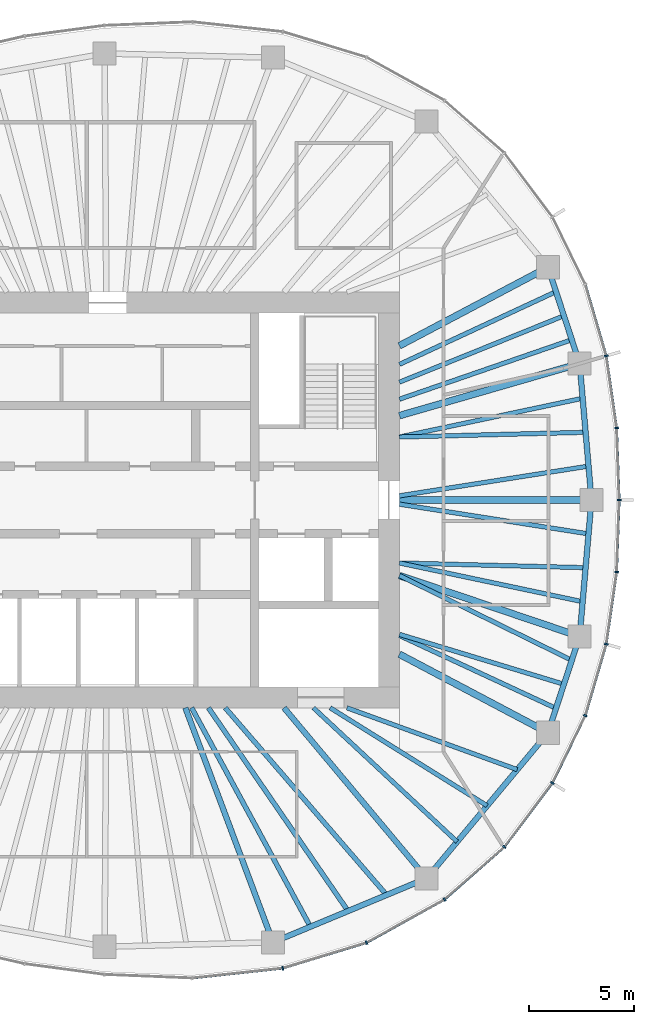
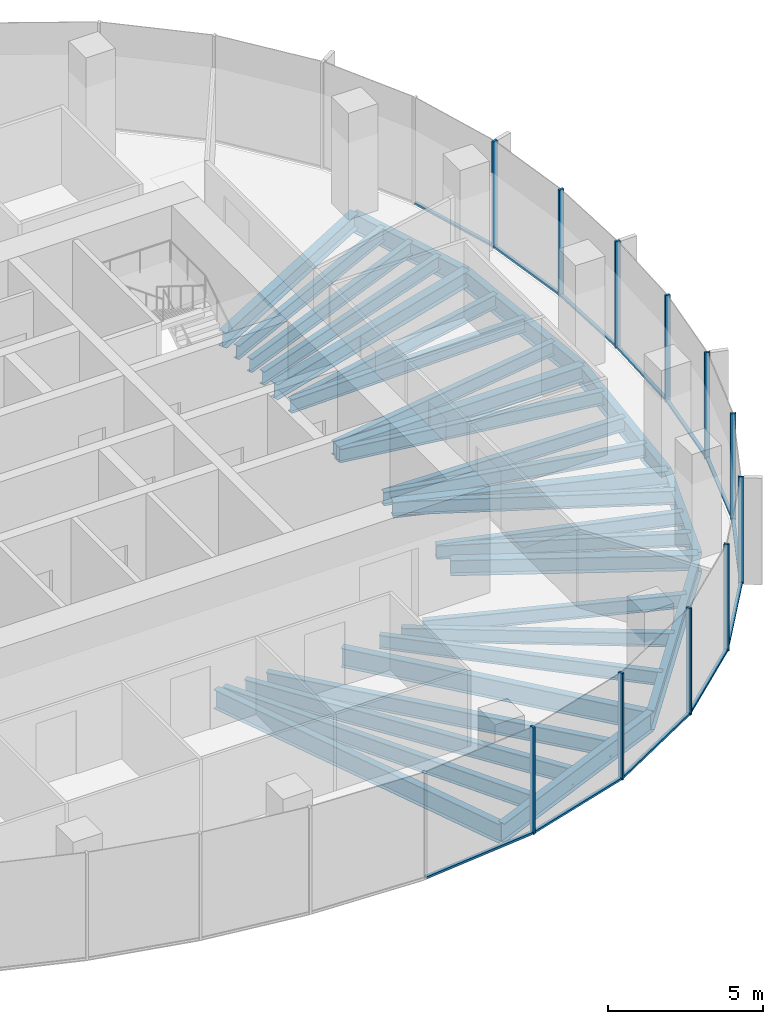
# One storey, part 4 of 11: 31 beams, 23 members, 7 elements without a shape of their own.
"""IFC4 building model written with IfcOpenShell, lengths in metres."""

from ifc_helpers import new_model, si_unit, direction, frame, origin, origin_2d, place, context, subcontext, project, spatial, rectangle, i_section, extrude, material, material_profile, profile_set, type_object, element, aggregate, save


model = new_model("IFC4")

# Units and contexts
model_context = context("Model", 3, precision=1e-05, world=origin(), true_north=direction((0.0, 1.0)))
body_context = subcontext(model_context, "Body", "Model", "MODEL_VIEW")
ifc_project = project(units=[si_unit("LENGTHUNIT", "METRE"), si_unit("AREAUNIT", "SQUARE_METRE"), si_unit("VOLUMEUNIT", "CUBIC_METRE"), si_unit("PLANEANGLEUNIT", "RADIAN"), si_unit("MASSUNIT", "GRAM", prefix="KILO")], contexts=[model_context])

# Site, building, storey
site_placement = place(None, origin())
site = spatial("IfcSite", under=ifc_project, at=site_placement, CompositionType="ELEMENT")
building_placement = place(site_placement, origin())
building = spatial("IfcBuilding", under=site, at=building_placement, Name="Ghaith Harvest Tower", CompositionType="ELEMENT")
storey_placement = place(building_placement, frame((0.0, 0.0, 292.199951171875)))
storey = spatial("IfcBuildingStorey", under=building, at=storey_placement, Name="L65", CompositionType="ELEMENT", Elevation=292.199951171875)

# Curtain wall, members
ifc_material_1 = material(Name="Black anodised aluminium and fritted glass", Category="aluminium")
curtain_wall_type = type_object("IfcCurtainWallType", Name="CW-T CURTAIN WALL", PredefinedType="NOTDEFINED", material=ifc_material_1)
curtain_wall_1_placement = place(storey_placement, origin())
curtain_wall_1 = element("IfcCurtainWall", 1, at=curtain_wall_1_placement, inside=storey, type_object=curtain_wall_type, Name="Curtain wall CW-T bay 01 L65", PredefinedType="NOTDEFINED")
ifc_material_2 = material(Name="Aluminium, black anodised", Category="aluminium")
ifc_material_profile_1 = material_profile(ifc_material_2, rectangle(XDim=0.080078125, YDim=0.179931640625, at=origin_2d()), Name="CW-T MULLION 80x180")
ifc_profile_set_1 = profile_set([ifc_material_profile_1], Name="Aluminium, black anodised")
member_type_1 = type_object("IfcMemberType", Name="CW-T MULLION 80x180", PredefinedType="MULLION", material=ifc_profile_set_1)
member_1_placement = place(storey_placement, frame((24.3701171875, 0.0, 0.0), z_axis=(0.0, 0.0, 1.0), x_axis=(5.2e-11, 1.0, 0.0)))
member_1 = element("IfcMember", 2, at=member_1_placement, type_object=member_type_1, Name="CW-T mullion 1 bay 01 L65", PredefinedType="MULLION", context=body_context, shape_type="SweptSolid", body=[
    extrude(rectangle(XDim=0.080078125, YDim=0.179931640625, at=origin_2d()), origin(), (0.0, 0.0, 1.0), 4.199951171875),
])
member_2_placement = place(storey_placement, frame((24.247802734375, 3.433837890625, 0.0), z_axis=(0.0, 0.0, 1.0), x_axis=(-0.089502202236, 0.995986624305, 0.0)))
member_2 = element("IfcMember", 3, at=member_2_placement, type_object=member_type_1, Name="CW-T mullion 2 bay 01 L65", PredefinedType="MULLION", context=body_context, shape_type="SweptSolid", body=[
    extrude(rectangle(XDim=0.080078125, YDim=0.179931640625, at=origin_2d()), origin(), (0.0, 0.0, 1.0), 4.199951171875),
])

# Curtain wall, member
curtain_wall_2_placement = place(storey_placement, origin())
curtain_wall_2 = element("IfcCurtainWall", 4, at=curtain_wall_2_placement, inside=storey, type_object=curtain_wall_type, Name="Curtain wall CW-T bay 02 L65", PredefinedType="NOTDEFINED")
member_3_placement = place(storey_placement, frame((23.753173828125, 6.865234375, 0.0), z_axis=(0.0, 0.0, 1.0), x_axis=(-0.21340203233, 0.976964468442, 0.0)))
member_3 = element("IfcMember", 5, at=member_3_placement, type_object=member_type_1, Name="CW-T mullion 1 bay 02 L65", PredefinedType="MULLION", context=body_context, shape_type="SweptSolid", body=[
    extrude(rectangle(XDim=0.080078125, YDim=0.179931640625, at=origin_2d()), origin(), (0.0, 0.0, 1.0), 4.199951171875),
])

# Curtain wall, members
curtain_wall_3_placement = place(storey_placement, origin())
curtain_wall_3 = element("IfcCurtainWall", 6, at=curtain_wall_3_placement, inside=storey, type_object=curtain_wall_type, Name="Curtain wall CW-T bay 17 L65", PredefinedType="NOTDEFINED")
member_4_placement = place(storey_placement, frame((8.33984375, -22.308837890625, 0.0), z_axis=(0.0, 0.0, 1.0), x_axis=(0.980000193265, 0.198996535647, 0.0)))
member_4 = element("IfcMember", 7, at=member_4_placement, type_object=member_type_1, Name="CW-T mullion 1 bay 17 L65", PredefinedType="MULLION", context=body_context, shape_type="SweptSolid", body=[
    extrude(rectangle(XDim=0.080078125, YDim=0.179931640625, at=origin_2d()), origin(), (0.0, 0.0, 1.0), 4.199951171875),
])
member_5_placement = place(storey_placement, frame((12.334228515625, -21.091796875, 0.0), z_axis=(0.0, 0.0, 1.0), x_axis=(0.920319269335, 0.391168048914, 0.0)))
member_5 = element("IfcMember", 8, at=member_5_placement, type_object=member_type_1, Name="CW-T mullion 2 bay 17 L65", PredefinedType="MULLION", context=body_context, shape_type="SweptSolid", body=[
    extrude(rectangle(XDim=0.080078125, YDim=0.179931640625, at=origin_2d()), origin(), (0.0, 0.0, 1.0), 4.199951171875),
])

curtain_wall_4_placement = place(storey_placement, origin())
curtain_wall_4 = element("IfcCurtainWall", 9, at=curtain_wall_4_placement, inside=storey, type_object=curtain_wall_type, Name="Curtain wall CW-T bay 18 L65", PredefinedType="NOTDEFINED")
member_6_placement = place(storey_placement, frame((16.04931640625, -19.031982421875, 0.0), z_axis=(0.0, 0.0, 1.0), x_axis=(0.821112053644, 0.570767023715, 0.0)))
member_6 = element("IfcMember", 10, at=member_6_placement, type_object=member_type_1, Name="CW-T mullion 1 bay 18 L65", PredefinedType="MULLION", context=body_context, shape_type="SweptSolid", body=[
    extrude(rectangle(XDim=0.080078125, YDim=0.179931640625, at=origin_2d()), origin(), (0.0, 0.0, 1.0), 4.199951171875),
])
member_7_placement = place(storey_placement, frame((18.901123046875, -16.527099609375, 0.0), z_axis=(0.0, 0.0, 1.0), x_axis=(0.679660897254, 0.733526458108, 0.0)))
member_7 = element("IfcMember", 11, at=member_7_placement, type_object=member_type_1, Name="CW-T mullion 2 bay 18 L65", PredefinedType="MULLION", context=body_context, shape_type="SweptSolid", body=[
    extrude(rectangle(XDim=0.080078125, YDim=0.179931640625, at=origin_2d()), origin(), (0.0, 0.0, 1.0), 4.199951171875),
])

curtain_wall_5_placement = place(storey_placement, origin())
curtain_wall_5 = element("IfcCurtainWall", 12, at=curtain_wall_5_placement, inside=storey, type_object=curtain_wall_type, Name="Curtain wall CW-T bay 19 L65", PredefinedType="NOTDEFINED")
member_8_placement = place(storey_placement, frame((21.18896484375, -13.48486328125, 0.0), z_axis=(0.0, 0.0, 1.0), x_axis=(0.524482238715, 0.85142138878, 0.0)))
member_8 = element("IfcMember", 13, at=member_8_placement, type_object=member_type_1, Name="CW-T mullion 1 bay 19 L65", PredefinedType="MULLION", context=body_context, shape_type="SweptSolid", body=[
    extrude(rectangle(XDim=0.080078125, YDim=0.179931640625, at=origin_2d()), origin(), (0.0, 0.0, 1.0), 4.199951171875),
])
member_9_placement = place(storey_placement, frame((22.754150390625, -10.272216796875, 0.0), z_axis=(0.0, 0.0, 1.0), x_axis=(0.361184273904, 0.932494461262, 0.0)))
member_9 = element("IfcMember", 14, at=member_9_placement, type_object=member_type_1, Name="CW-T mullion 2 bay 19 L65", PredefinedType="MULLION", context=body_context, shape_type="SweptSolid", body=[
    extrude(rectangle(XDim=0.080078125, YDim=0.179931640625, at=origin_2d()), origin(), (0.0, 0.0, 1.0), 4.199951171875),
])

curtain_wall_6_placement = place(storey_placement, origin())
curtain_wall_6 = element("IfcCurtainWall", 15, at=curtain_wall_6_placement, inside=storey, type_object=curtain_wall_type, Name="Curtain wall CW-T bay 20 L65", PredefinedType="NOTDEFINED")
member_10_placement = place(storey_placement, frame((23.753173828125, -6.865234375, 0.0), z_axis=(0.0, 0.0, 1.0), x_axis=(0.213402032501, 0.976964468404, 0.0)))
member_10 = element("IfcMember", 16, at=member_10_placement, type_object=member_type_1, Name="CW-T mullion 1 bay 20 L65", PredefinedType="MULLION", context=body_context, shape_type="SweptSolid", body=[
    extrude(rectangle(XDim=0.080078125, YDim=0.179931640625, at=origin_2d()), origin(), (0.0, 0.0, 1.0), 4.199951171875),
])
member_11_placement = place(storey_placement, frame((24.247802734375, -3.433837890625, 0.0), z_axis=(0.0, 0.0, 1.0), x_axis=(0.089502202305, 0.995986624299, 0.0)))
member_11 = element("IfcMember", 17, at=member_11_placement, type_object=member_type_1, Name="CW-T mullion 2 bay 20 L65", PredefinedType="MULLION", context=body_context, shape_type="SweptSolid", body=[
    extrude(rectangle(XDim=0.080078125, YDim=0.179931640625, at=origin_2d()), origin(), (0.0, 0.0, 1.0), 4.199951171875),
])

# Member
ifc_material_3 = material(Name="Aluminium, black anodised", Category="aluminium")
ifc_material_profile_2 = material_profile(ifc_material_3, rectangle(XDim=0.1201171875, YDim=0.080078125, at=origin_2d()), Name="CW-T TRANSOM 120x80")
ifc_profile_set_2 = profile_set([ifc_material_profile_2], Name="Aluminium, black anodised")
member_type_2 = type_object("IfcMemberType", Name="CW-T TRANSOM 120x80", PredefinedType="USERDEFINED", material=ifc_profile_set_2)
member_12_placement = place(storey_placement, frame((24.36865234375, 0.0400390625, 0.0400390625), z_axis=(-0.035574759537, 0.999367017909, 0.0), x_axis=(-0.999367017909, -0.035574759537, 0.0)))
member_12 = element("IfcMember", 18, at=member_12_placement, type_object=member_type_2, Name="CW-T transom 1 bay 01 L65", ObjectType="TRANSOM", PredefinedType="USERDEFINED", context=body_context, shape_type="SweptSolid", body=[
    extrude(rectangle(XDim=0.1201171875, YDim=0.080078125, at=origin_2d()), origin(), (0.0, 0.0, 1.0), 3.35595703125),
])

member_13_placement = place(storey_placement, frame((24.2421875, 3.473388671875, 0.0400390625), z_axis=(-0.142733224301, 0.989761196795, 0.0), x_axis=(-0.989761196795, -0.142733224301, 0.0)))
member_13 = element("IfcMember", 19, at=member_13_placement, type_object=member_type_2, Name="CW-T transom 2 bay 01 L65", ObjectType="TRANSOM", PredefinedType="USERDEFINED", context=body_context, shape_type="SweptSolid", body=[
    extrude(rectangle(XDim=0.1201171875, YDim=0.080078125, at=origin_2d()), origin(), (0.0, 0.0, 1.0), 3.38671875),
])

aggregate(curtain_wall_1, [member_1, member_12, member_2, member_13])

member_14_placement = place(storey_placement, frame((23.741943359375, 6.903564453125, 0.0400390625), z_axis=(-0.281385475469, 0.95959481772, 0.0), x_axis=(-0.95959481772, -0.281385475469, 0.0)))
member_14 = element("IfcMember", 20, at=member_14_placement, type_object=member_type_2, Name="CW-T transom 1 bay 02 L65", ObjectType="TRANSOM", PredefinedType="USERDEFINED", context=body_context, shape_type="SweptSolid", body=[
    extrude(rectangle(XDim=0.1201171875, YDim=0.080078125, at=origin_2d()), origin(), (0.0, 0.0, 1.0), 3.470458984375),
])

aggregate(curtain_wall_2, [member_3, member_14])

# Curtain wall, member
curtain_wall_7_placement = place(storey_placement, origin())
curtain_wall_7 = element("IfcCurtainWall", 21, at=curtain_wall_7_placement, inside=storey, type_object=curtain_wall_type, Name="Curtain wall CW-T bay 16 L65", PredefinedType="NOTDEFINED")
member_15_placement = place(storey_placement, frame((4.077392578125, -22.772216796875, 0.0400390625), z_axis=(0.994144463069, 0.108059180768, 0.0), x_axis=(-0.108059180768, 0.994144463069, 0.0)))
member_15 = element("IfcMember", 22, at=member_15_placement, type_object=member_type_2, Name="CW-T transom 2 bay 16 L65", ObjectType="TRANSOM", PredefinedType="USERDEFINED", context=body_context, shape_type="SweptSolid", body=[
    extrude(rectangle(XDim=0.1201171875, YDim=0.080078125, at=origin_2d()), origin(), (0.0, 0.0, 1.0), 4.24755859375),
])
aggregate(curtain_wall_7, [member_15])

# Member
member_16_placement = place(storey_placement, frame((8.378173828125, -22.297119140625, 0.0400390625), z_axis=(0.956593713342, 0.291424891858, 0.0), x_axis=(-0.291424891858, 0.956593713342, 0.0)))
member_16 = element("IfcMember", 23, at=member_16_placement, type_object=member_type_2, Name="CW-T transom 1 bay 17 L65", ObjectType="TRANSOM", PredefinedType="USERDEFINED", context=body_context, shape_type="SweptSolid", body=[
    extrude(rectangle(XDim=0.1201171875, YDim=0.080078125, at=origin_2d()), origin(), (0.0, 0.0, 1.0), 4.095703125),
])

member_17_placement = place(storey_placement, frame((12.369384765625, -21.072509765625, 0.0400390625), z_axis=(0.874552130553, 0.484931511603, 0.0), x_axis=(-0.484931511603, 0.874552130553, 0.0)))
member_17 = element("IfcMember", 24, at=member_17_placement, type_object=member_type_2, Name="CW-T transom 2 bay 17 L65", ObjectType="TRANSOM", PredefinedType="USERDEFINED", context=body_context, shape_type="SweptSolid", body=[
    extrude(rectangle(XDim=0.1201171875, YDim=0.080078125, at=origin_2d()), origin(), (0.0, 0.0, 1.0), 4.16748046875),
])

aggregate(curtain_wall_3, [member_4, member_16, member_5, member_17])

member_18_placement = place(storey_placement, frame((16.079345703125, -19.005615234375, 0.0400390625), z_axis=(0.751325799984, 0.659931467865, 0.0), x_axis=(-0.659931467865, 0.751325799984, 0.0)))
member_18 = element("IfcMember", 25, at=member_18_placement, type_object=member_type_2, Name="CW-T transom 1 bay 18 L65", ObjectType="TRANSOM", PredefinedType="USERDEFINED", context=body_context, shape_type="SweptSolid", body=[
    extrude(rectangle(XDim=0.1201171875, YDim=0.080078125, at=origin_2d()), origin(), (0.0, 0.0, 1.0), 3.7158203125),
])

member_19_placement = place(storey_placement, frame((18.925048828125, -16.4951171875, 0.0400390625), z_axis=(0.601079103045, 0.799189534392, 0.0), x_axis=(-0.799189534392, 0.601079103045, 0.0)))
member_19 = element("IfcMember", 26, at=member_19_placement, type_object=member_type_2, Name="CW-T transom 2 bay 18 L65", ObjectType="TRANSOM", PredefinedType="USERDEFINED", context=body_context, shape_type="SweptSolid", body=[
    extrude(rectangle(XDim=0.1201171875, YDim=0.080078125, at=origin_2d()), origin(), (0.0, 0.0, 1.0), 3.7265625),
])

aggregate(curtain_wall_4, [member_6, member_18, member_7, member_19])

member_20_placement = place(storey_placement, frame((21.20654296875, -13.448974609375, 0.0400390625), z_axis=(0.437965078712, 0.898991985408, 0.0), x_axis=(-0.898991985408, 0.437965078712, 0.0)))
member_20 = element("IfcMember", 27, at=member_20_placement, type_object=member_type_2, Name="CW-T transom 1 bay 19 L65", ObjectType="TRANSOM", PredefinedType="USERDEFINED", context=body_context, shape_type="SweptSolid", body=[
    extrude(rectangle(XDim=0.1201171875, YDim=0.080078125, at=origin_2d()), origin(), (0.0, 0.0, 1.0), 3.493408203125),
])

member_21_placement = place(storey_placement, frame((22.765380859375, -10.23388671875, 0.0400390625), z_axis=(0.281385475469, 0.95959481772, 0.0), x_axis=(-0.95959481772, 0.281385475469, 0.0)))
member_21 = element("IfcMember", 28, at=member_21_placement, type_object=member_type_2, Name="CW-T transom 2 bay 19 L65", ObjectType="TRANSOM", PredefinedType="USERDEFINED", context=body_context, shape_type="SweptSolid", body=[
    extrude(rectangle(XDim=0.1201171875, YDim=0.080078125, at=origin_2d()), origin(), (0.0, 0.0, 1.0), 3.470458984375),
])

aggregate(curtain_wall_5, [member_8, member_20, member_9, member_21])

member_22_placement = place(storey_placement, frame((23.7587890625, -6.825439453125, 0.0400390625), z_axis=(0.142733224301, 0.989761196795, 0.0), x_axis=(-0.989761196795, 0.142733224301, 0.0)))
member_22 = element("IfcMember", 29, at=member_22_placement, type_object=member_type_2, Name="CW-T transom 1 bay 20 L65", ObjectType="TRANSOM", PredefinedType="USERDEFINED", context=body_context, shape_type="SweptSolid", body=[
    extrude(rectangle(XDim=0.1201171875, YDim=0.080078125, at=origin_2d()), origin(), (0.0, 0.0, 1.0), 3.38671875),
])

member_23_placement = place(storey_placement, frame((24.249267578125, -3.393798828125, 0.0400390625), z_axis=(0.035574759537, 0.999367017909, 0.0), x_axis=(-0.999367017909, 0.035574759537, 0.0)))
member_23 = element("IfcMember", 30, at=member_23_placement, type_object=member_type_2, Name="CW-T transom 2 bay 20 L65", ObjectType="TRANSOM", PredefinedType="USERDEFINED", context=body_context, shape_type="SweptSolid", body=[
    extrude(rectangle(XDim=0.1201171875, YDim=0.080078125, at=origin_2d()), origin(), (0.0, 0.0, 1.0), 3.35595703125),
])

aggregate(curtain_wall_6, [member_10, member_22, member_11, member_23])

# Beams
ifc_material_4 = material(Name="Steel ASTM A992 Grade 50", Category="steel")
ifc_material_profile_3 = material_profile(ifc_material_4, i_section(OverallWidth=0.26611328125, OverallDepth=0.758056640625, WebThickness=0.013916015625, FlangeThickness=0.019287109375, at=origin_2d()), Name="W760X161")
ifc_profile_set_3 = profile_set([ifc_material_profile_3], Name="Steel ASTM A992 Grade 50")
beam_type_1 = type_object("IfcBeamType", Name="E760-161 W760X161", PredefinedType="SPANDREL", material=ifc_profile_set_3)
beam_1_placement = place(storey_placement, frame((23.050048828125, 0.0, -0.549072265625), z_axis=(-0.086600547306, 0.996243115513, 0.0), x_axis=(-0.996243115513, -0.086600547306, 0.0)))
element("IfcBeam", 31, at=beam_1_placement, inside=storey, type_object=beam_type_1, Name="Edge beam E01 L65", PredefinedType="SPANDREL", context=body_context, shape_type="SweptSolid", body=[
    extrude(i_section(OverallWidth=0.26611328125, OverallDepth=0.758056640625, WebThickness=0.013916015625, FlangeThickness=0.019287109375, at=origin_2d()), origin(), (0.0, 0.0, 1.0), 6.5234375),
])
beam_2_placement = place(storey_placement, frame((22.485107421875, 6.4990234375, -0.549072265625), z_axis=(-0.312206727278, 0.950014189074, 0.0), x_axis=(-0.950014189074, -0.312206727278, 0.0)))
element("IfcBeam", 32, at=beam_2_placement, inside=storey, type_object=beam_type_1, Name="Edge beam E02 L65", PredefinedType="SPANDREL", context=body_context, shape_type="SweptSolid", body=[
    extrude(i_section(OverallWidth=0.26611328125, OverallDepth=0.758056640625, WebThickness=0.013916015625, FlangeThickness=0.019287109375, at=origin_2d()), origin(), (0.0, 0.0, 1.0), 4.830322265625),
])
beam_3_placement = place(storey_placement, frame((7.8779296875, -21.072021484375, -0.549072265625), z_axis=(0.923119729219, 0.384512633766, 0.0), x_axis=(-0.384512633766, 0.923119729219, 0.0)))
element("IfcBeam", 33, at=beam_3_placement, inside=storey, type_object=beam_type_1, Name="Edge beam E17 L65", PredefinedType="SPANDREL", context=body_context, shape_type="SweptSolid", body=[
    extrude(i_section(OverallWidth=0.26611328125, OverallDepth=0.758056640625, WebThickness=0.013916015625, FlangeThickness=0.019287109375, at=origin_2d()), origin(), (0.0, 0.0, 1.0), 7.9296875),
])
beam_4_placement = place(storey_placement, frame((15.197998046875, -18.02294921875, -0.549072265625), z_axis=(0.640173759088, 0.76823014662, 0.0), x_axis=(-0.76823014662, 0.640173759088, 0.0)))
element("IfcBeam", 34, at=beam_4_placement, inside=storey, type_object=beam_type_1, Name="Edge beam E18 L65", PredefinedType="SPANDREL", context=body_context, shape_type="SweptSolid", body=[
    extrude(i_section(OverallWidth=0.26611328125, OverallDepth=0.758056640625, WebThickness=0.013916015625, FlangeThickness=0.019287109375, at=origin_2d()), origin(), (0.0, 0.0, 1.0), 9.02734375),
])
beam_5_placement = place(storey_placement, frame((20.97705078125, -11.087890625, -0.549072265625), z_axis=(0.312206727278, 0.950014189074, 0.0), x_axis=(-0.950014189074, 0.312206727278, 0.0)))
element("IfcBeam", 35, at=beam_5_placement, inside=storey, type_object=beam_type_1, Name="Edge beam E19 L65", PredefinedType="SPANDREL", context=body_context, shape_type="SweptSolid", body=[
    extrude(i_section(OverallWidth=0.26611328125, OverallDepth=0.758056640625, WebThickness=0.013916015625, FlangeThickness=0.019287109375, at=origin_2d()), origin(), (0.0, 0.0, 1.0), 4.830322265625),
])
beam_6_placement = place(storey_placement, frame((22.485107421875, -6.4990234375, -0.549072265625), z_axis=(0.086600547306, 0.996243115513, 0.0), x_axis=(-0.996243115513, 0.086600547306, 0.0)))
element("IfcBeam", 36, at=beam_6_placement, inside=storey, type_object=beam_type_1, Name="Edge beam E20 L65", PredefinedType="SPANDREL", context=body_context, shape_type="SweptSolid", body=[
    extrude(i_section(OverallWidth=0.26611328125, OverallDepth=0.758056640625, WebThickness=0.013916015625, FlangeThickness=0.019287109375, at=origin_2d()), origin(), (0.0, 0.0, 1.0), 6.5234375),
])
ifc_material_5 = material(Name="Steel ASTM A992 Grade 50", Category="steel")
ifc_material_profile_4 = material_profile(ifc_material_5, i_section(OverallWidth=0.323974609375, OverallDepth=0.611083984375, WebThickness=0.0126953125, FlangeThickness=0.01904296875, at=origin_2d()), Name="W610X155")
ifc_profile_set_4 = profile_set([ifc_material_profile_4], Name="Steel ASTM A992 Grade 50")
beam_type_2 = type_object("IfcBeamType", Name="G610-155 W610X155", PredefinedType="BEAM", material=ifc_profile_set_4)
beam_7_placement = place(storey_placement, frame((13.89990234375, 0.0, -0.475341796875), z_axis=(1.0, 0.0, 0.0), x_axis=(0.0, 1.0, 0.0)))
element("IfcBeam", 37, at=beam_7_placement, inside=storey, type_object=beam_type_2, Name="Radial girder G01 L65", PredefinedType="BEAM", context=body_context, shape_type="SweptSolid", body=[
    extrude(i_section(OverallWidth=0.323974609375, OverallDepth=0.611083984375, WebThickness=0.0126953125, FlangeThickness=0.01904296875, at=origin_2d()), origin(), (0.0, 0.0, 1.0), 9.150146484375),
])
beam_8_placement = place(storey_placement, frame((13.89990234375, 4.017333984375, -0.475341796875), z_axis=(0.960668846071, 0.27769653975, 0.0), x_axis=(-0.27769653975, 0.960668846071, 0.0)))
element("IfcBeam", 38, at=beam_8_placement, inside=storey, type_object=beam_type_2, Name="Radial girder G02 L65", PredefinedType="BEAM", context=body_context, shape_type="SweptSolid", body=[
    extrude(i_section(OverallWidth=0.323974609375, OverallDepth=0.611083984375, WebThickness=0.0126953125, FlangeThickness=0.01904296875, at=origin_2d()), origin(), (0.0, 0.0, 1.0), 8.936767578125),
])
for number, where, z_axis, x_axis, name in (
    (39, (13.89990234375, 7.34716796875, -0.475341796875), (0.884097820364, 0.467301876764, 0.0), (-0.467301876764, 0.884097820364, 0.0), "Radial girder G03 L65"),
    (40, (13.89990234375, -7.34716796875, -0.475341796875), (0.884097820364, -0.467301876764, 0.0), (0.467301876764, 0.884097820364, 0.0), "Radial girder G19 L65"),
):
    element("IfcBeam", number, at=place(storey_placement, frame(where, z_axis=z_axis, x_axis=x_axis)), inside=storey, type_object=beam_type_2, Name=name, PredefinedType="BEAM", context=body_context, shape_type="SweptSolid", body=[
        extrude(i_section(OverallWidth=0.323974609375, OverallDepth=0.611083984375, WebThickness=0.0126953125, FlangeThickness=0.01904296875, at=origin_2d()), origin(), (0.0, 0.0, 1.0), 8.0048828125),
    ])
beam_9_placement = place(storey_placement, frame((13.89990234375, -3.60009765625, -0.475341796875), z_axis=(0.947444819082, -0.319919231673, 0.0), x_axis=(0.319919231673, 0.947444819082, 0.0)))
element("IfcBeam", 41, at=beam_9_placement, inside=storey, type_object=beam_type_2, Name="Radial girder G20 L65", PredefinedType="BEAM", context=body_context, shape_type="SweptSolid", body=[
    extrude(i_section(OverallWidth=0.323974609375, OverallDepth=0.611083984375, WebThickness=0.0126953125, FlangeThickness=0.01904296875, at=origin_2d()), origin(), (0.0, 0.0, 1.0), 9.0615234375),
])
ifc_material_6 = material(Name="Steel ASTM A992 Grade 50", Category="steel")
ifc_material_profile_5 = material_profile(ifc_material_6, i_section(OverallWidth=0.26611328125, OverallDepth=0.758056640625, WebThickness=0.013916015625, FlangeThickness=0.019287109375, at=origin_2d()), Name="W760X161")
ifc_profile_set_5 = profile_set([ifc_material_profile_5], Name="Steel ASTM A992 Grade 50")
beam_type_3 = type_object("IfcBeamType", Name="G760-161 W760X161", PredefinedType="BEAM", material=ifc_profile_set_5)
beam_10_placement = place(storey_placement, frame((3.700927734375, -9.89990234375, -0.549072265625), z_axis=(0.350201332531, -0.936674450753, 0.0), x_axis=(0.936674450753, 0.350201332531, 0.0)))
element("IfcBeam", 42, at=beam_10_placement, inside=storey, type_object=beam_type_3, Name="Radial girder G17 L65", PredefinedType="BEAM", context=body_context, shape_type="SweptSolid", body=[
    extrude(i_section(OverallWidth=0.26611328125, OverallDepth=0.758056640625, WebThickness=0.013916015625, FlangeThickness=0.019287109375, at=origin_2d()), origin(), (0.0, 0.0, 1.0), 11.927490234375),
])
beam_11_placement = place(storey_placement, frame((8.39990234375, -9.89990234375, -0.549072265625), z_axis=(0.641792628883, -0.766878231215, 0.0), x_axis=(0.766878231215, 0.641792628883, 0.0)))
element("IfcBeam", 43, at=beam_11_placement, inside=storey, type_object=beam_type_3, Name="Radial girder G18 L65", PredefinedType="BEAM", context=body_context, shape_type="SweptSolid", body=[
    extrude(i_section(OverallWidth=0.26611328125, OverallDepth=0.758056640625, WebThickness=0.013916015625, FlangeThickness=0.019287109375, at=origin_2d()), origin(), (0.0, 0.0, 1.0), 10.59228515625),
])
ifc_material_7 = material(Name="Steel ASTM A992 Grade 50", Category="steel")
ifc_material_profile_6 = material_profile(ifc_material_7, i_section(OverallWidth=0.2109375, OverallDepth=0.5390625, WebThickness=0.01171875, FlangeThickness=0.018798828125, at=origin_2d()), Name="W530X109")
ifc_profile_set_6 = profile_set([ifc_material_profile_6], Name="Steel ASTM A992 Grade 50")
beam_type_4 = type_object("IfcBeamType", Name="J530-109 W530X109", PredefinedType="JOIST", material=ifc_profile_set_6)
beam_12_placement = place(storey_placement, frame((13.89990234375, 0.199951171875, -0.439453125), z_axis=(0.987906665526, 0.155049734628, 0.0), x_axis=(-0.155049734628, 0.987906665526, 0.0)))
element("IfcBeam", 44, at=beam_12_placement, inside=storey, type_object=beam_type_4, Name="Joist J01.1 L65", PredefinedType="JOIST", context=body_context, shape_type="SweptSolid", body=[
    extrude(i_section(OverallWidth=0.2109375, OverallDepth=0.5390625, WebThickness=0.01171875, FlangeThickness=0.018798828125, at=origin_2d()), origin(), (0.0, 0.0, 1.0), 9.1201171875),
])
beam_13_placement = place(storey_placement, frame((13.89990234375, 3.0, -0.439453125), z_axis=(0.999679533859, 0.025314612071, 0.0), x_axis=(-0.025314612071, 0.999679533859, 0.0)))
element("IfcBeam", 45, at=beam_13_placement, inside=storey, type_object=beam_type_4, Name="Joist J01.2 L65", PredefinedType="JOIST", context=body_context, shape_type="SweptSolid", body=[
    extrude(i_section(OverallWidth=0.2109375, OverallDepth=0.5390625, WebThickness=0.01171875, FlangeThickness=0.018798828125, at=origin_2d()), origin(), (0.0, 0.0, 1.0), 8.872802734375),
])
beam_14_placement = place(storey_placement, frame((13.89990234375, 3.0, -0.439453125), z_axis=(0.97833382446, 0.207033639579, 0.0), x_axis=(-0.207033639579, 0.97833382446, 0.0)))
element("IfcBeam", 46, at=beam_14_placement, inside=storey, type_object=beam_type_4, Name="Joist J01.3 L65", PredefinedType="JOIST", context=body_context, shape_type="SweptSolid", body=[
    extrude(i_section(OverallWidth=0.2109375, OverallDepth=0.5390625, WebThickness=0.01171875, FlangeThickness=0.018798828125, at=origin_2d()), origin(), (0.0, 0.0, 1.0), 8.922119140625),
])
beam_15_placement = place(storey_placement, frame((13.89990234375, 4.801025390625, -0.439453125), z_axis=(0.945204712775, 0.326478254937, 0.0), x_axis=(-0.326478254937, 0.945204712775, 0.0)))
element("IfcBeam", 47, at=beam_15_placement, inside=storey, type_object=beam_type_4, Name="Joist J02.1 L65", PredefinedType="JOIST", context=body_context, shape_type="SweptSolid", body=[
    extrude(i_section(OverallWidth=0.2109375, OverallDepth=0.5390625, WebThickness=0.01171875, FlangeThickness=0.018798828125, at=origin_2d()), origin(), (0.0, 0.0, 1.0), 8.687255859375),
])
beam_16_placement = place(storey_placement, frame((13.89990234375, 5.61328125, -0.439453125), z_axis=(0.927254375113, 0.374432001615, 0.0), x_axis=(-0.374432001615, 0.927254375113, 0.0)))
element("IfcBeam", 48, at=beam_16_placement, inside=storey, type_object=beam_type_4, Name="Joist J02.2 L65", PredefinedType="JOIST", context=body_context, shape_type="SweptSolid", body=[
    extrude(i_section(OverallWidth=0.2109375, OverallDepth=0.5390625, WebThickness=0.01171875, FlangeThickness=0.018798828125, at=origin_2d()), origin(), (0.0, 0.0, 1.0), 8.450927734375),
])
beam_17_placement = place(storey_placement, frame((13.89990234375, 6.45947265625, -0.439453125), z_axis=(0.906859906661, 0.42143221245, 0.0), x_axis=(-0.42143221245, 0.906859906661, 0.0)))
element("IfcBeam", 49, at=beam_17_placement, inside=storey, type_object=beam_type_4, Name="Joist J02.3 L65", PredefinedType="JOIST", context=body_context, shape_type="SweptSolid", body=[
    extrude(i_section(OverallWidth=0.2109375, OverallDepth=0.5390625, WebThickness=0.01171875, FlangeThickness=0.018798828125, at=origin_2d()), origin(), (0.0, 0.0, 1.0), 8.22509765625),
])
beam_18_placement = place(storey_placement, frame((9.800048828125, -9.89990234375, -0.439453125), z_axis=(0.73164904944, -0.681681500742, 0.0), x_axis=(0.681681500742, 0.73164904944, 0.0)))
element("IfcBeam", 50, at=beam_18_placement, inside=storey, type_object=beam_type_4, Name="Joist J18.1 L65", PredefinedType="JOIST", context=body_context, shape_type="SweptSolid", body=[
    extrude(i_section(OverallWidth=0.2109375, OverallDepth=0.5390625, WebThickness=0.01171875, FlangeThickness=0.018798828125, at=origin_2d()), origin(), (0.0, 0.0, 1.0), 9.361572265625),
])
beam_19_placement = place(storey_placement, frame((10.60009765625, -9.89990234375, -0.439453125), z_axis=(0.84837619421, -0.52939383553, 0.0), x_axis=(0.52939383553, 0.84837619421, 0.0)))
element("IfcBeam", 51, at=beam_19_placement, inside=storey, type_object=beam_type_4, Name="Joist J18.2 L65", PredefinedType="JOIST", context=body_context, shape_type="SweptSolid", body=[
    extrude(i_section(OverallWidth=0.2109375, OverallDepth=0.5390625, WebThickness=0.01171875, FlangeThickness=0.018798828125, at=origin_2d()), origin(), (0.0, 0.0, 1.0), 8.814697265625),
])
beam_20_placement = place(storey_placement, frame((11.39990234375, -9.89990234375, -0.439453125), z_axis=(0.939925501564, -0.341379629605, 0.0), x_axis=(0.341379629605, 0.939925501564, 0.0)))
element("IfcBeam", 52, at=beam_20_placement, inside=storey, type_object=beam_type_4, Name="Joist J18.3 L65", PredefinedType="JOIST", context=body_context, shape_type="SweptSolid", body=[
    extrude(i_section(OverallWidth=0.2109375, OverallDepth=0.5390625, WebThickness=0.01171875, FlangeThickness=0.018798828125, at=origin_2d()), origin(), (0.0, 0.0, 1.0), 8.630615234375),
])
beam_21_placement = place(storey_placement, frame((13.89990234375, -6.45947265625, -0.439453125), z_axis=(0.906859906661, -0.42143221245, 0.0), x_axis=(0.42143221245, 0.906859906661, 0.0)))
element("IfcBeam", 53, at=beam_21_placement, inside=storey, type_object=beam_type_4, Name="Joist J19.1 L65", PredefinedType="JOIST", context=body_context, shape_type="SweptSolid", body=[
    extrude(i_section(OverallWidth=0.2109375, OverallDepth=0.5390625, WebThickness=0.01171875, FlangeThickness=0.018798828125, at=origin_2d()), origin(), (0.0, 0.0, 1.0), 8.22509765625),
])
beam_22_placement = place(storey_placement, frame((13.89990234375, -6.39990234375, -0.439453125), z_axis=(0.9569197823, -0.290352424208, 0.0), x_axis=(0.290352424208, 0.9569197823, 0.0)))
element("IfcBeam", 54, at=beam_22_placement, inside=storey, type_object=beam_type_4, Name="Joist J19.2 L65", PredefinedType="JOIST", context=body_context, shape_type="SweptSolid", body=[
    extrude(i_section(OverallWidth=0.2109375, OverallDepth=0.5390625, WebThickness=0.01171875, FlangeThickness=0.018798828125, at=origin_2d()), origin(), (0.0, 0.0, 1.0), 8.18896484375),
])
beam_23_placement = place(storey_placement, frame((13.89990234375, -3.60009765625, -0.439453125), z_axis=(0.89740088778, -0.441216099674, 0.0), x_axis=(0.441216099674, 0.89740088778, 0.0)))
element("IfcBeam", 55, at=beam_23_placement, inside=storey, type_object=beam_type_4, Name="Joist J19.3 L65", PredefinedType="JOIST", context=body_context, shape_type="SweptSolid", body=[
    extrude(i_section(OverallWidth=0.2109375, OverallDepth=0.5390625, WebThickness=0.01171875, FlangeThickness=0.018798828125, at=origin_2d()), origin(), (0.0, 0.0, 1.0), 9.14990234375),
])
beam_24_placement = place(storey_placement, frame((13.89990234375, -3.0, -0.439453125), z_axis=(0.97833382446, -0.207033639579, 0.0), x_axis=(0.207033639579, 0.97833382446, 0.0)))
element("IfcBeam", 56, at=beam_24_placement, inside=storey, type_object=beam_type_4, Name="Joist J20.1 L65", PredefinedType="JOIST", context=body_context, shape_type="SweptSolid", body=[
    extrude(i_section(OverallWidth=0.2109375, OverallDepth=0.5390625, WebThickness=0.01171875, FlangeThickness=0.018798828125, at=origin_2d()), origin(), (0.0, 0.0, 1.0), 8.922119140625),
])
beam_25_placement = place(storey_placement, frame((13.89990234375, -3.0, -0.439453125), z_axis=(0.999679533859, -0.025314612071, 0.0), x_axis=(0.025314612071, 0.999679533859, 0.0)))
element("IfcBeam", 57, at=beam_25_placement, inside=storey, type_object=beam_type_4, Name="Joist J20.2 L65", PredefinedType="JOIST", context=body_context, shape_type="SweptSolid", body=[
    extrude(i_section(OverallWidth=0.2109375, OverallDepth=0.5390625, WebThickness=0.01171875, FlangeThickness=0.018798828125, at=origin_2d()), origin(), (0.0, 0.0, 1.0), 8.872802734375),
])
beam_26_placement = place(storey_placement, frame((13.89990234375, -0.199951171875, -0.439453125), z_axis=(0.987906665526, -0.155049734628, 0.0), x_axis=(0.155049734628, 0.987906665526, 0.0)))
element("IfcBeam", 58, at=beam_26_placement, inside=storey, type_object=beam_type_4, Name="Joist J20.3 L65", PredefinedType="JOIST", context=body_context, shape_type="SweptSolid", body=[
    extrude(i_section(OverallWidth=0.2109375, OverallDepth=0.5390625, WebThickness=0.01171875, FlangeThickness=0.018798828125, at=origin_2d()), origin(), (0.0, 0.0, 1.0), 9.1201171875),
])
ifc_material_8 = material(Name="Steel ASTM A992 Grade 50", Category="steel")
ifc_material_profile_7 = material_profile(ifc_material_8, i_section(OverallWidth=0.22998046875, OverallDepth=0.616943359375, WebThickness=0.01318359375, FlangeThickness=0.022216796875, at=origin_2d()), Name="W610X140")
ifc_profile_set_7 = profile_set([ifc_material_profile_7], Name="Steel ASTM A992 Grade 50")
beam_type_5 = type_object("IfcBeamType", Name="J610-140 W610X140", PredefinedType="JOIST", material=ifc_profile_set_7)
beam_27_placement = place(storey_placement, frame((4.0, -9.89990234375, -0.478515625), z_axis=(0.476764926531, -0.879030832696, 0.0), x_axis=(0.879030832696, 0.476764926531, 0.0)))
element("IfcBeam", 59, at=beam_27_placement, inside=storey, type_object=beam_type_5, Name="Joist J17.1 L65", PredefinedType="JOIST", context=body_context, shape_type="SweptSolid", body=[
    extrude(i_section(OverallWidth=0.22998046875, OverallDepth=0.616943359375, WebThickness=0.01318359375, FlangeThickness=0.022216796875, at=origin_2d()), origin(), (0.0, 0.0, 1.0), 11.866455078125),
])
beam_28_placement = place(storey_placement, frame((4.800048828125, -9.89990234375, -0.478515625), z_axis=(0.566228035119, -0.824248634967, 0.0), x_axis=(0.824248634967, 0.566228035119, 0.0)))
element("IfcBeam", 60, at=beam_28_placement, inside=storey, type_object=beam_type_5, Name="Joist J17.2 L65", PredefinedType="JOIST", context=body_context, shape_type="SweptSolid", body=[
    extrude(i_section(OverallWidth=0.22998046875, OverallDepth=0.616943359375, WebThickness=0.01318359375, FlangeThickness=0.022216796875, at=origin_2d()), origin(), (0.0, 0.0, 1.0), 11.748046875),
])
beam_29_placement = place(storey_placement, frame((5.60009765625, -9.89990234375, -0.478515625), z_axis=(0.652992938501, -0.757363995888, 0.0), x_axis=(0.757363995888, 0.652992938501, 0.0)))
element("IfcBeam", 61, at=beam_29_placement, inside=storey, type_object=beam_type_5, Name="Joist J17.3 L65", PredefinedType="JOIST", context=body_context, shape_type="SweptSolid", body=[
    extrude(i_section(OverallWidth=0.22998046875, OverallDepth=0.616943359375, WebThickness=0.01318359375, FlangeThickness=0.022216796875, at=origin_2d()), origin(), (0.0, 0.0, 1.0), 11.775390625),
])

save(model, "model.ifc")
